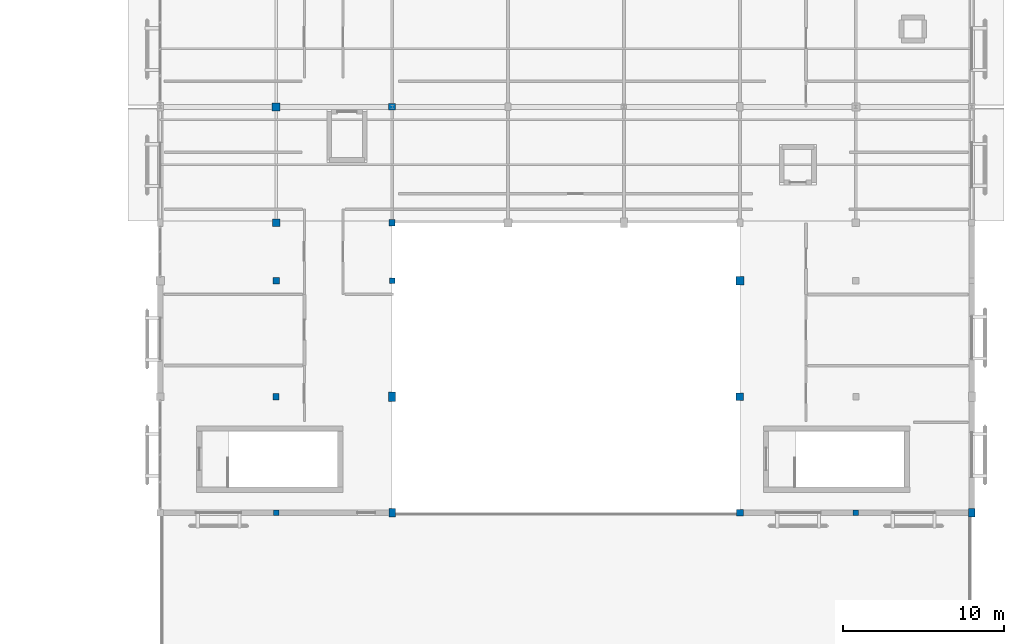
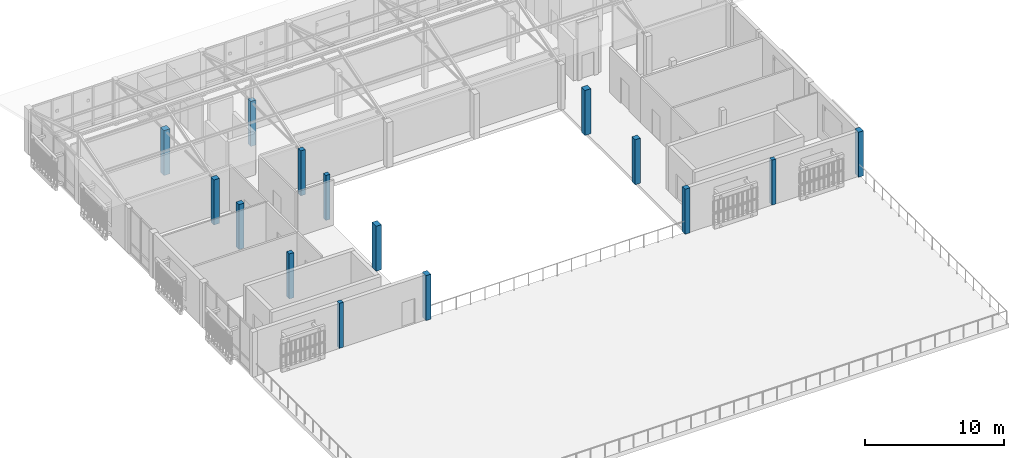
# One storey, part 5 of 61: 15 columns.
"""IFC4 building model written with IfcOpenShell, lengths in metres."""

from ifc_helpers import new_model, si_unit, direction, frame, origin, origin_2d, place, context, subcontext, project, spatial, rectangle, extrude, material, material_profile, profile_set, type_object, element, save


model = new_model("IFC4")

# Units and contexts
model_context = context("Model", 3, precision=1e-05, world=origin(), true_north=direction((0.0, 1.0)))
body_context = subcontext(model_context, "Body", "Model", "MODEL_VIEW")
ifc_project = project(units=[si_unit("LENGTHUNIT", "METRE"), si_unit("AREAUNIT", "SQUARE_METRE"), si_unit("VOLUMEUNIT", "CUBIC_METRE"), si_unit("PLANEANGLEUNIT", "RADIAN"), si_unit("MASSUNIT", "GRAM", prefix="KILO")], contexts=[model_context])

# Site, building, storey
site_placement = place(None, origin())
site = spatial("IfcSite", under=ifc_project, at=site_placement, CompositionType="ELEMENT")
building_placement = place(site_placement, origin())
building = spatial("IfcBuilding", under=site, at=building_placement, Name="Mazaris Harbour Polytechnic", CompositionType="ELEMENT")
storey_placement = place(building_placement, frame((0.0, 0.0, 18.0)))
storey = spatial("IfcBuildingStorey", under=building, at=storey_placement, Name="L04", CompositionType="ELEMENT", Elevation=18.0)

# Columns
ifc_material_1 = material(Name="Glulam GL28h", Category="wood")
ifc_material_profile_1 = material_profile(ifc_material_1, rectangle(XDim=0.340087890625, YDim=0.340087890625, at=origin_2d()), Name="RECT340x340")
ifc_profile_set_1 = profile_set([ifc_material_profile_1], Name="Glulam GL28h")
column_type_1 = type_object("IfcColumnType", Name="Glulam Column 340x340", PredefinedType="COLUMN", material=ifc_profile_set_1)
column_1_placement = place(storey_placement, frame((136.800048828125, 82.800048828125, 0.0), z_axis=(0.0, 0.0, 1.0), x_axis=(1.0, 0.0, 0.0)))
element("IfcColumn", 1, at=column_1_placement, inside=storey, type_object=column_type_1, Name="V5 L04 Column 1480", PredefinedType="COLUMN", context=body_context, shape_type="SweptSolid", body=[
    extrude(rectangle(XDim=0.340087890625, YDim=0.340087890625, at=origin_2d()), origin(), (0.0, 0.0, 1.0), 3.9599609375),
])
ifc_material_2 = material(Name="Glulam GL28h", Category="wood")
ifc_material_profile_2 = material_profile(ifc_material_2, rectangle(XDim=0.340087890625, YDim=0.340087890625, at=origin_2d()), Name="RECT340x340")
ifc_profile_set_2 = profile_set([ifc_material_profile_2], Name="Glulam GL28h")
column_type_2 = type_object("IfcColumnType", Name="Glulam Column 340x340 Exterior", PredefinedType="COLUMN", material=ifc_profile_set_2)
for number, where, z_axis, x_axis, name in (
    (2, (129.60009765625, 68.39990234375, 0.0), (0.0, 0.0, 1.0), (1.0, 0.0, 0.0), "V5 L04 Column 1472"),
    (3, (165.60009765625, 68.39990234375, 0.0), (0.0, 0.0, 1.0), (1.0, 0.0, 0.0), "V5 L04 Column 1496"),
):
    element("IfcColumn", number, at=place(storey_placement, frame(where, z_axis=z_axis, x_axis=x_axis)), inside=storey, type_object=column_type_2, Name=name, PredefinedType="COLUMN", context=body_context, shape_type="SweptSolid", body=[
        extrude(rectangle(XDim=0.340087890625, YDim=0.340087890625, at=origin_2d()), origin(), (0.0, 0.0, 1.0), 3.9599609375),
    ])
ifc_material_3 = material(Name="Glulam GL28h", Category="wood")
ifc_material_profile_3 = material_profile(ifc_material_3, rectangle(XDim=0.3798828125, YDim=0.3798828125, at=origin_2d()), Name="RECT380x380")
ifc_profile_set_3 = profile_set([ifc_material_profile_3], Name="Glulam GL28h")
column_type_3 = type_object("IfcColumnType", Name="Glulam Column 380x380", PredefinedType="COLUMN", material=ifc_profile_set_3)
for number, where, z_axis, x_axis, name in (
    (4, (129.60009765625, 75.60009765625, 0.0), (0.0, 0.0, 1.0), (1.0, 0.0, 0.0), "V5 L04 Column 1473"),
    (5, (136.800048828125, 86.39990234375, 0.0), (0.0, 0.0, 1.0), (1.0, 0.0, 0.0), "V5 L04 Column 1481"),
):
    element("IfcColumn", number, at=place(storey_placement, frame(where, z_axis=z_axis, x_axis=x_axis)), inside=storey, type_object=column_type_3, Name=name, PredefinedType="COLUMN", context=body_context, shape_type="SweptSolid", body=[
        extrude(rectangle(XDim=0.3798828125, YDim=0.3798828125, at=origin_2d()), origin(), (0.0, 0.0, 1.0), 3.9599609375),
    ])
ifc_material_4 = material(Name="Glulam GL28h", Category="wood")
ifc_material_profile_4 = material_profile(ifc_material_4, rectangle(XDim=0.39990234375, YDim=0.5400390625, at=origin_2d()), Name="RECT400x540")
ifc_profile_set_4 = profile_set([ifc_material_profile_4], Name="Glulam GL28h")
column_type_4 = type_object("IfcColumnType", Name="Glulam Column 400x540 Exterior", PredefinedType="COLUMN", material=ifc_profile_set_4)
for number, where, z_axis, x_axis, name in (
    (6, (136.800048828125, 68.39990234375, 0.0), (0.0, 0.0, 1.0), (1.0, 0.0, 0.0), "V5 L04 Column 1478"),
    (7, (172.800048828125, 68.39990234375, 0.0), (0.0, 0.0, 1.0), (1.0, 0.0, 0.0), "V5 L04 Column 1502"),
):
    element("IfcColumn", number, at=place(storey_placement, frame(where, z_axis=z_axis, x_axis=x_axis)), inside=storey, type_object=column_type_4, Name=name, PredefinedType="COLUMN", context=body_context, shape_type="SweptSolid", body=[
        extrude(rectangle(XDim=0.39990234375, YDim=0.5400390625, at=origin_2d()), origin(), (0.0, 0.0, 1.0), 3.9599609375),
    ])
ifc_material_5 = material(Name="Glulam GL28h", Category="wood")
ifc_material_profile_5 = material_profile(ifc_material_5, rectangle(XDim=0.419921875, YDim=0.419921875, at=origin_2d()), Name="RECT420x420")
ifc_profile_set_5 = profile_set([ifc_material_profile_5], Name="Glulam GL28h")
column_type_5 = type_object("IfcColumnType", Name="Glulam Column 420x420", PredefinedType="COLUMN", material=ifc_profile_set_5)
for number, where, z_axis, x_axis, name in (
    (8, (129.60009765625, 82.800048828125, 0.0), (0.0, 0.0, 1.0), (1.0, 0.0, 0.0), "V5 L04 Column 1474"),
    (9, (136.800048828125, 93.60009765625, 0.0), (0.0, 0.0, 1.0), (1.0, 0.0, 0.0), "V5 L04 Column 1482"),
):
    element("IfcColumn", number, at=place(storey_placement, frame(where, z_axis=z_axis, x_axis=x_axis)), inside=storey, type_object=column_type_5, Name=name, PredefinedType="COLUMN", context=body_context, shape_type="SweptSolid", body=[
        extrude(rectangle(XDim=0.419921875, YDim=0.419921875, at=origin_2d()), origin(), (0.0, 0.0, 1.0), 3.9599609375),
    ])
ifc_material_6 = material(Name="Glulam GL28h", Category="wood")
ifc_material_profile_6 = material_profile(ifc_material_6, rectangle(XDim=0.419921875, YDim=0.419921875, at=origin_2d()), Name="RECT420x420")
ifc_profile_set_6 = profile_set([ifc_material_profile_6], Name="Glulam GL28h")
column_type_6 = type_object("IfcColumnType", Name="Glulam Column 420x420 Exterior", PredefinedType="COLUMN", material=ifc_profile_set_6)
column_2_placement = place(storey_placement, frame((158.39990234375, 68.39990234375, 0.0), z_axis=(0.0, 0.0, 1.0), x_axis=(1.0, 0.0, 0.0)))
element("IfcColumn", 10, at=column_2_placement, inside=storey, type_object=column_type_6, Name="V5 L04 Column 1490", PredefinedType="COLUMN", context=body_context, shape_type="SweptSolid", body=[
    extrude(rectangle(XDim=0.419921875, YDim=0.419921875, at=origin_2d()), origin(), (0.0, 0.0, 1.0), 3.9599609375),
])
ifc_material_7 = material(Name="Glulam GL28h", Category="wood")
ifc_material_profile_7 = material_profile(ifc_material_7, rectangle(XDim=0.43994140625, YDim=0.60009765625, at=origin_2d()), Name="RECT440x600")
ifc_profile_set_7 = profile_set([ifc_material_profile_7], Name="Glulam GL28h")
column_type_7 = type_object("IfcColumnType", Name="Glulam Column 440x600", PredefinedType="COLUMN", material=ifc_profile_set_7)
column_3_placement = place(storey_placement, frame((136.800048828125, 75.60009765625, 0.0), z_axis=(0.0, 0.0, 1.0), x_axis=(1.0, 0.0, 0.0)))
element("IfcColumn", 11, at=column_3_placement, inside=storey, type_object=column_type_7, Name="V5 L04 Column 1479", PredefinedType="COLUMN", context=body_context, shape_type="SweptSolid", body=[
    extrude(rectangle(XDim=0.43994140625, YDim=0.60009765625, at=origin_2d()), origin(), (0.0, 0.0, 1.0), 3.9599609375),
])
ifc_material_8 = material(Name="Glulam GL28h", Category="wood")
ifc_material_profile_8 = material_profile(ifc_material_8, rectangle(XDim=0.4599609375, YDim=0.4599609375, at=origin_2d()), Name="RECT460x460")
ifc_profile_set_8 = profile_set([ifc_material_profile_8], Name="Glulam GL28h")
column_type_8 = type_object("IfcColumnType", Name="Glulam Column 460x460", PredefinedType="COLUMN", material=ifc_profile_set_8)
for number, where, z_axis, x_axis, name in (
    (12, (129.60009765625, 86.39990234375, 0.0), (0.0, 0.0, 1.0), (1.0, 0.0, 0.0), "V5 L04 Column 1475"),
    (13, (158.39990234375, 75.60009765625, 0.0), (0.0, 0.0, 1.0), (1.0, 0.0, 0.0), "V5 L04 Column 1491"),
):
    element("IfcColumn", number, at=place(storey_placement, frame(where, z_axis=z_axis, x_axis=x_axis)), inside=storey, type_object=column_type_8, Name=name, PredefinedType="COLUMN", context=body_context, shape_type="SweptSolid", body=[
        extrude(rectangle(XDim=0.4599609375, YDim=0.4599609375, at=origin_2d()), origin(), (0.0, 0.0, 1.0), 3.9599609375),
    ])
ifc_material_9 = material(Name="Glulam GL28h", Category="wood")
ifc_material_profile_9 = material_profile(ifc_material_9, rectangle(XDim=0.5, YDim=0.5, at=origin_2d()), Name="RECT500x500")
ifc_profile_set_9 = profile_set([ifc_material_profile_9], Name="Glulam GL28h")
column_type_9 = type_object("IfcColumnType", Name="Glulam Column 500x500", PredefinedType="COLUMN", material=ifc_profile_set_9)
for number, where, z_axis, x_axis, name in (
    (14, (129.60009765625, 93.60009765625, 0.0), (0.0, 0.0, 1.0), (1.0, 0.0, 0.0), "V5 L04 Column 1476"),
    (15, (158.39990234375, 82.800048828125, 0.0), (0.0, 0.0, 1.0), (1.0, 0.0, 0.0), "V5 L04 Column 1492"),
):
    element("IfcColumn", number, at=place(storey_placement, frame(where, z_axis=z_axis, x_axis=x_axis)), inside=storey, type_object=column_type_9, Name=name, PredefinedType="COLUMN", context=body_context, shape_type="SweptSolid", body=[
        extrude(rectangle(XDim=0.5, YDim=0.5, at=origin_2d()), origin(), (0.0, 0.0, 1.0), 3.9599609375),
    ])

save(model, "model.ifc")
